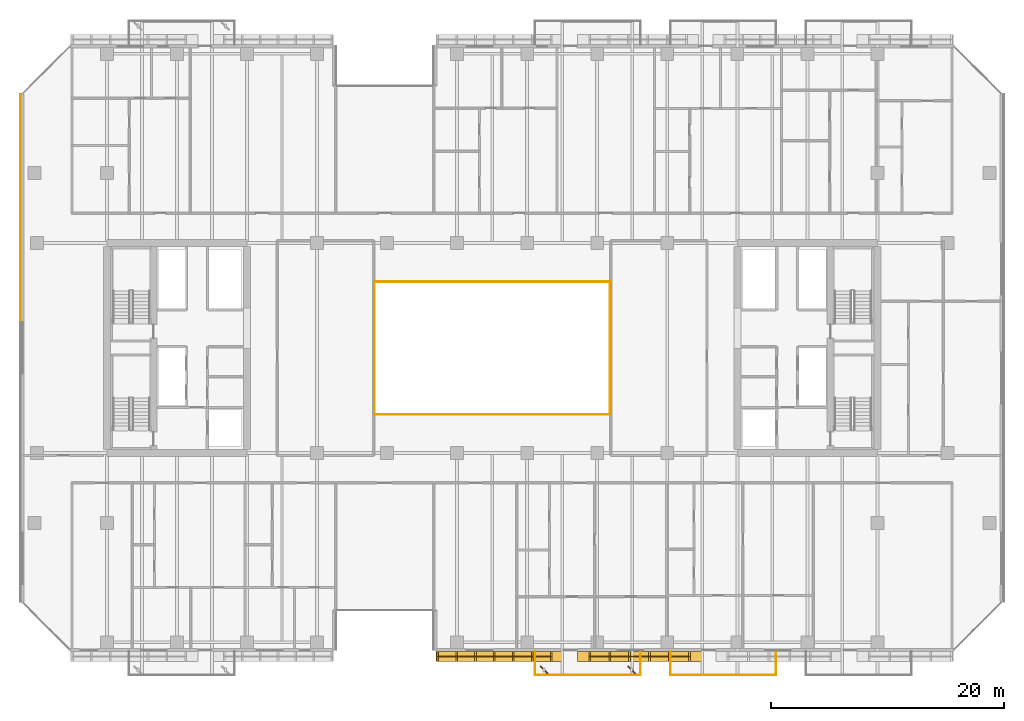
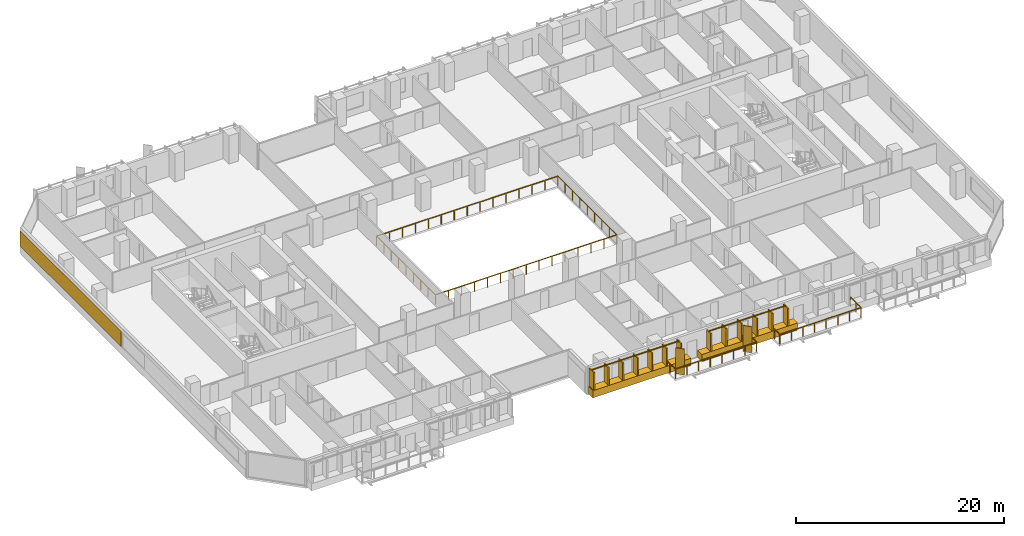
# One storey, part 29 of 34: 6 railings, 3 coverings, 2 shading devices.
"""IFC4 building model written with IfcOpenShell, lengths in metres."""

from ifc_helpers import new_model, si_unit, direction, frame, origin, origin_2d, place, context, subcontext, project, spatial, rectangle, extrude, material, layer, layer_set, type_object, element, save


model = new_model("IFC4")

# Units and contexts
model_context = context("Model", 3, precision=1e-05, world=origin(), true_north=direction((0.0, 1.0)))
body_context = subcontext(model_context, "Body", "Model", "MODEL_VIEW")
ifc_project = project(units=[si_unit("LENGTHUNIT", "METRE"), si_unit("AREAUNIT", "SQUARE_METRE"), si_unit("VOLUMEUNIT", "CUBIC_METRE"), si_unit("PLANEANGLEUNIT", "RADIAN"), si_unit("MASSUNIT", "GRAM", prefix="KILO")], contexts=[model_context])

# Site, building, storey
site_placement = place(None, origin())
site = spatial("IfcSite", under=ifc_project, at=site_placement, CompositionType="ELEMENT")
building_placement = place(site_placement, origin())
building = spatial("IfcBuilding", under=site, at=building_placement, Name="Tanjung Sevakor Pilgrim Tower", CompositionType="ELEMENT")
storey_placement = place(building_placement, frame((0.0, 0.0, 55.43994140625)))
storey = spatial("IfcBuildingStorey", under=building, at=storey_placement, Name="L15", CompositionType="ELEMENT", Elevation=55.43994140625)

# Coverings
ifc_material_1 = material(Name="Reconstructed Limestone Cladding", Category="masonry")
ifc_layer = layer(ifc_material_1, 0.044921875)
ifc_layer_set = layer_set([ifc_layer], Name="COV-CLAD-LIMESTONE")
covering_type = type_object("IfcCoveringType", Name="COV-CLAD-LIMESTONE", PredefinedType="CLADDING", material=ifc_layer_set)
covering_1_placement = place(storey_placement, frame((57.635009765625, 7.169921875, 0.01025390625), z_axis=(0.0, 0.0, 1.0), x_axis=(1.0, 0.0, 0.0)))
element("IfcCovering", 1, at=covering_1_placement, inside=storey, type_object=covering_type, Name="L15 Warm Limestone Sill Spandrel EW-L15-MAIN-5-1", PredefinedType="CLADDING", context=body_context, shape_type="SweptSolid", body=[
    extrude(rectangle(XDim=10.909912109375, YDim=0.860107421875, at=origin_2d()), origin(), (0.0, 0.0, 1.0), 0.840087890625),
])
covering_2_placement = place(storey_placement, frame((69.625, 7.169921875, 0.01025390625), z_axis=(0.0, 0.0, 1.0), x_axis=(1.0, 0.0, 0.0)))
element("IfcCovering", 2, at=covering_2_placement, inside=storey, type_object=covering_type, Name="L15 Warm Limestone Sill Spandrel EW-L15-MAIN-5-2", PredefinedType="CLADDING", context=body_context, shape_type="SweptSolid", body=[
    extrude(rectangle(XDim=10.6298828125, YDim=0.860107421875, at=origin_2d()), origin(), (0.0, 0.0, 1.0), 0.840087890625),
])
covering_3_placement = place(storey_placement, frame((16.577392578125, 45.575927734375, 0.85009765625), z_axis=(0.0, 0.0, 1.0), x_axis=(0.0, -1.0, 0.0)))
element("IfcCovering", 3, at=covering_3_placement, inside=storey, type_object=covering_type, Name="L15 Warm Limestone Pier Panel EW-L15-MAIN-15-1", PredefinedType="CLADDING", context=body_context, shape_type="SweptSolid", body=[
    extrude(rectangle(XDim=19.451904296875, YDim=0.044921875, at=origin_2d()), origin(), (0.0, 0.0, 1.0), 1.81005859375),
])

# Railings
ifc_material_2 = material(Name="Laminated Glass and Aluminium", Category="aluminium")
railing_type_1 = type_object("IfcRailingType", Name="RL-BAL-BALUST", PredefinedType="BALUSTRADE", material=ifc_material_2)
railing_1_placement = place(storey_placement, frame((46.919921875, 27.919921875, 0.0)))
element("IfcRailing", 4, at=railing_1_placement, inside=storey, type_object=railing_type_1, Name="L15 Void Opening Balustrade 1A", PredefinedType="BALUSTRADE", context=body_context, shape_type="SweptSolid", body=[
    extrude(rectangle(XDim=0.0479, YDim=0.0479), frame((0.0, 0.0, 1.1259765625), z_axis=(1.0, 0.0, 0.0), x_axis=(0.0, 1.0, 0.0)), (0.0, 0.0, 1.0), 20.16015625),
    extrude(rectangle(XDim=0.0479, YDim=0.0479), frame((20.16015625, 0.0, 1.1259765625), z_axis=(0.0, 1.0, 0.0), x_axis=(-1.0, 0.0, 0.0)), (0.0, 0.0, 1.0), 11.360107421875),
    extrude(rectangle(XDim=0.042, YDim=0.042), origin(), (0.0, 0.0, 1.0), 1.101806640625),
    extrude(rectangle(XDim=0.042, YDim=0.042), frame((1.43994140625, 0.0, 0.0)), (0.0, 0.0, 1.0), 1.101806640625),
    extrude(rectangle(XDim=0.042, YDim=0.042), frame((2.880126953125, 0.0, 0.0)), (0.0, 0.0, 1.0), 1.101806640625),
    extrude(rectangle(XDim=0.042, YDim=0.042), frame((4.320068359375, 0.0, 0.0)), (0.0, 0.0, 1.0), 1.101806640625),
    extrude(rectangle(XDim=0.042, YDim=0.042), frame((5.760009765625, 0.0, 0.0)), (0.0, 0.0, 1.0), 1.101806640625),
    extrude(rectangle(XDim=0.042, YDim=0.042), frame((7.199951171875, 0.0, 0.0)), (0.0, 0.0, 1.0), 1.101806640625),
    extrude(rectangle(XDim=0.042, YDim=0.042), frame((8.64013671875, 0.0, 0.0)), (0.0, 0.0, 1.0), 1.101806640625),
    extrude(rectangle(XDim=0.042, YDim=0.042), frame((10.080078125, 0.0, 0.0)), (0.0, 0.0, 1.0), 1.101806640625),
    extrude(rectangle(XDim=0.042, YDim=0.042), frame((11.52001953125, 0.0, 0.0)), (0.0, 0.0, 1.0), 1.101806640625),
    extrude(rectangle(XDim=0.042, YDim=0.042), frame((12.960205078125, 0.0, 0.0)), (0.0, 0.0, 1.0), 1.101806640625),
    extrude(rectangle(XDim=0.042, YDim=0.042), frame((14.400146484375, 0.0, 0.0)), (0.0, 0.0, 1.0), 1.101806640625),
    extrude(rectangle(XDim=0.042, YDim=0.042), frame((15.840087890625, 0.0, 0.0)), (0.0, 0.0, 1.0), 1.101806640625),
    extrude(rectangle(XDim=0.042, YDim=0.042), frame((17.280029296875, 0.0, 0.0)), (0.0, 0.0, 1.0), 1.101806640625),
    extrude(rectangle(XDim=0.042, YDim=0.042), frame((18.72021484375, 0.0, 0.0)), (0.0, 0.0, 1.0), 1.101806640625),
    extrude(rectangle(XDim=0.042, YDim=0.042), frame((20.16015625, 0.0, 0.0)), (0.0, 0.0, 1.0), 1.101806640625),
    extrude(rectangle(XDim=0.042, YDim=0.042), frame((20.16015625, 1.419921875, 0.0)), (0.0, 0.0, 1.0), 1.101806640625),
    extrude(rectangle(XDim=0.042, YDim=0.042), frame((20.16015625, 2.840087890625, 0.0)), (0.0, 0.0, 1.0), 1.101806640625),
    extrude(rectangle(XDim=0.042, YDim=0.042), frame((20.16015625, 4.260009765625, 0.0)), (0.0, 0.0, 1.0), 1.101806640625),
    extrude(rectangle(XDim=0.042, YDim=0.042), frame((20.16015625, 5.68017578125, 0.0)), (0.0, 0.0, 1.0), 1.101806640625),
    extrude(rectangle(XDim=0.042, YDim=0.042), frame((20.16015625, 7.10009765625, 0.0)), (0.0, 0.0, 1.0), 1.101806640625),
    extrude(rectangle(XDim=0.042, YDim=0.042), frame((20.16015625, 8.52001953125, 0.0)), (0.0, 0.0, 1.0), 1.101806640625),
    extrude(rectangle(XDim=0.042, YDim=0.042), frame((20.16015625, 9.940185546875, 0.0)), (0.0, 0.0, 1.0), 1.101806640625),
    extrude(rectangle(XDim=0.042, YDim=0.042), frame((20.16015625, 11.360107421875, 0.0)), (0.0, 0.0, 1.0), 1.101806640625),
])
railing_2_placement = place(storey_placement, frame((67.080078125, 39.280029296875, 0.0)))
element("IfcRailing", 5, at=railing_2_placement, inside=storey, type_object=railing_type_1, Name="L15 Void Opening Balustrade 1B", PredefinedType="BALUSTRADE", context=body_context, shape_type="SweptSolid", body=[
    extrude(rectangle(XDim=0.0479, YDim=0.0479), frame((0.0, 0.0, 1.1259765625), z_axis=(-1.0, 0.0, 0.0), x_axis=(0.0, -1.0, 0.0)), (0.0, 0.0, 1.0), 20.16015625),
    extrude(rectangle(XDim=0.0479, YDim=0.0479), frame((-20.16015625, 0.0, 1.1259765625), z_axis=(0.0, -1.0, 0.0), x_axis=(1.0, 0.0, 0.0)), (0.0, 0.0, 1.0), 11.360107421875),
    extrude(rectangle(XDim=0.042, YDim=0.042), origin(), (0.0, 0.0, 1.0), 1.101806640625),
    extrude(rectangle(XDim=0.042, YDim=0.042), frame((-1.43994140625, 0.0, 0.0)), (0.0, 0.0, 1.0), 1.101806640625),
    extrude(rectangle(XDim=0.042, YDim=0.042), frame((-2.880126953125, 0.0, 0.0)), (0.0, 0.0, 1.0), 1.101806640625),
    extrude(rectangle(XDim=0.042, YDim=0.042), frame((-4.320068359375, 0.0, 0.0)), (0.0, 0.0, 1.0), 1.101806640625),
    extrude(rectangle(XDim=0.042, YDim=0.042), frame((-5.760009765625, 0.0, 0.0)), (0.0, 0.0, 1.0), 1.101806640625),
    extrude(rectangle(XDim=0.042, YDim=0.042), frame((-7.199951171875, 0.0, 0.0)), (0.0, 0.0, 1.0), 1.101806640625),
    extrude(rectangle(XDim=0.042, YDim=0.042), frame((-8.64013671875, 0.0, 0.0)), (0.0, 0.0, 1.0), 1.101806640625),
    extrude(rectangle(XDim=0.042, YDim=0.042), frame((-10.080078125, 0.0, 0.0)), (0.0, 0.0, 1.0), 1.101806640625),
    extrude(rectangle(XDim=0.042, YDim=0.042), frame((-11.52001953125, 0.0, 0.0)), (0.0, 0.0, 1.0), 1.101806640625),
    extrude(rectangle(XDim=0.042, YDim=0.042), frame((-12.960205078125, 0.0, 0.0)), (0.0, 0.0, 1.0), 1.101806640625),
    extrude(rectangle(XDim=0.042, YDim=0.042), frame((-14.400146484375, 0.0, 0.0)), (0.0, 0.0, 1.0), 1.101806640625),
    extrude(rectangle(XDim=0.042, YDim=0.042), frame((-15.840087890625, 0.0, 0.0)), (0.0, 0.0, 1.0), 1.101806640625),
    extrude(rectangle(XDim=0.042, YDim=0.042), frame((-17.280029296875, 0.0, 0.0)), (0.0, 0.0, 1.0), 1.101806640625),
    extrude(rectangle(XDim=0.042, YDim=0.042), frame((-18.72021484375, 0.0, 0.0)), (0.0, 0.0, 1.0), 1.101806640625),
    extrude(rectangle(XDim=0.042, YDim=0.042), frame((-20.16015625, 0.0, 0.0)), (0.0, 0.0, 1.0), 1.101806640625),
    extrude(rectangle(XDim=0.042, YDim=0.042), frame((-20.16015625, -1.419921875, 0.0)), (0.0, 0.0, 1.0), 1.101806640625),
    extrude(rectangle(XDim=0.042, YDim=0.042), frame((-20.16015625, -2.840087890625, 0.0)), (0.0, 0.0, 1.0), 1.101806640625),
    extrude(rectangle(XDim=0.042, YDim=0.042), frame((-20.16015625, -4.260009765625, 0.0)), (0.0, 0.0, 1.0), 1.101806640625),
    extrude(rectangle(XDim=0.042, YDim=0.042), frame((-20.16015625, -5.68017578125, 0.0)), (0.0, 0.0, 1.0), 1.101806640625),
    extrude(rectangle(XDim=0.042, YDim=0.042), frame((-20.16015625, -7.10009765625, 0.0)), (0.0, 0.0, 1.0), 1.101806640625),
    extrude(rectangle(XDim=0.042, YDim=0.042), frame((-20.16015625, -8.52001953125, 0.0)), (0.0, 0.0, 1.0), 1.101806640625),
    extrude(rectangle(XDim=0.042, YDim=0.042), frame((-20.16015625, -9.940185546875, 0.0)), (0.0, 0.0, 1.0), 1.101806640625),
    extrude(rectangle(XDim=0.042, YDim=0.042), frame((-20.16015625, -11.360107421875, 0.0)), (0.0, 0.0, 1.0), 1.101806640625),
])
railing_3_placement = place(storey_placement, frame((60.679931640625, 7.60009765625, 0.0)))
element("IfcRailing", 6, at=railing_3_placement, inside=storey, type_object=railing_type_1, Name="L15 Loggia Balustrade MAIN-S2", PredefinedType="BALUSTRADE", context=body_context, shape_type="SweptSolid", body=[
    extrude(rectangle(XDim=0.0479, YDim=0.0479), frame((0.0, 0.0, 1.1259765625), z_axis=(0.0, -1.0, 0.0), x_axis=(1.0, 0.0, 0.0)), (0.0, 0.0, 1.0), 2.02001953125),
    extrude(rectangle(XDim=0.0479, YDim=0.0479), frame((0.0, -2.02001953125, 1.1259765625), z_axis=(1.0, 0.0, 0.0), x_axis=(0.0, 1.0, 0.0)), (0.0, 0.0, 1.0), 9.0400390625),
    extrude(rectangle(XDim=0.0479, YDim=0.0479), frame((9.0400390625, -2.02001953125, 1.1259765625), z_axis=(0.0, 1.0, 0.0), x_axis=(-1.0, 0.0, 0.0)), (0.0, 0.0, 1.0), 2.02001953125),
    extrude(rectangle(XDim=0.042, YDim=0.042), origin(), (0.0, 0.0, 1.0), 1.101806640625),
    extrude(rectangle(XDim=0.042, YDim=0.042), frame((0.0, -1.010009765625, 0.0)), (0.0, 0.0, 1.0), 1.101806640625),
    extrude(rectangle(XDim=0.042, YDim=0.042), frame((0.0, -2.02001953125, 0.0)), (0.0, 0.0, 1.0), 1.101806640625),
    extrude(rectangle(XDim=0.042, YDim=0.042), frame((1.29150390625, -2.02001953125, 0.0)), (0.0, 0.0, 1.0), 1.101806640625),
    extrude(rectangle(XDim=0.042, YDim=0.042), frame((2.582763671875, -2.02001953125, 0.0)), (0.0, 0.0, 1.0), 1.101806640625),
    extrude(rectangle(XDim=0.042, YDim=0.042), frame((3.874267578125, -2.02001953125, 0.0)), (0.0, 0.0, 1.0), 1.101806640625),
    extrude(rectangle(XDim=0.042, YDim=0.042), frame((5.165771484375, -2.02001953125, 0.0)), (0.0, 0.0, 1.0), 1.101806640625),
    extrude(rectangle(XDim=0.042, YDim=0.042), frame((6.457275390625, -2.02001953125, 0.0)), (0.0, 0.0, 1.0), 1.101806640625),
    extrude(rectangle(XDim=0.042, YDim=0.042), frame((7.74853515625, -2.02001953125, 0.0)), (0.0, 0.0, 1.0), 1.101806640625),
    extrude(rectangle(XDim=0.042, YDim=0.042), frame((9.0400390625, -2.02001953125, 0.0)), (0.0, 0.0, 1.0), 1.101806640625),
    extrude(rectangle(XDim=0.042, YDim=0.042), frame((9.0400390625, -1.010009765625, 0.0)), (0.0, 0.0, 1.0), 1.101806640625),
    extrude(rectangle(XDim=0.042, YDim=0.042), frame((9.0400390625, 0.0, 0.0)), (0.0, 0.0, 1.0), 1.101806640625),
])
railing_4_placement = place(storey_placement, frame((72.280029296875, 7.60009765625, 0.0)))
element("IfcRailing", 7, at=railing_4_placement, inside=storey, type_object=railing_type_1, Name="L15 Loggia Balustrade MAIN-S3", PredefinedType="BALUSTRADE", context=body_context, shape_type="SweptSolid", body=[
    extrude(rectangle(XDim=0.0479, YDim=0.0479), frame((0.0, 0.0, 1.1259765625), z_axis=(0.0, -1.0, 0.0), x_axis=(1.0, 0.0, 0.0)), (0.0, 0.0, 1.0), 2.02001953125),
    extrude(rectangle(XDim=0.0479, YDim=0.0479), frame((0.0, -2.02001953125, 1.1259765625), z_axis=(1.0, 0.0, 0.0), x_axis=(0.0, 1.0, 0.0)), (0.0, 0.0, 1.0), 9.0400390625),
    extrude(rectangle(XDim=0.0479, YDim=0.0479), frame((9.0400390625, -2.02001953125, 1.1259765625), z_axis=(0.0, 1.0, 0.0), x_axis=(-1.0, 0.0, 0.0)), (0.0, 0.0, 1.0), 2.02001953125),
    extrude(rectangle(XDim=0.042, YDim=0.042), origin(), (0.0, 0.0, 1.0), 1.101806640625),
    extrude(rectangle(XDim=0.042, YDim=0.042), frame((0.0, -1.010009765625, 0.0)), (0.0, 0.0, 1.0), 1.101806640625),
    extrude(rectangle(XDim=0.042, YDim=0.042), frame((0.0, -2.02001953125, 0.0)), (0.0, 0.0, 1.0), 1.101806640625),
    extrude(rectangle(XDim=0.042, YDim=0.042), frame((1.29150390625, -2.02001953125, 0.0)), (0.0, 0.0, 1.0), 1.101806640625),
    extrude(rectangle(XDim=0.042, YDim=0.042), frame((2.582763671875, -2.02001953125, 0.0)), (0.0, 0.0, 1.0), 1.101806640625),
    extrude(rectangle(XDim=0.042, YDim=0.042), frame((3.874267578125, -2.02001953125, 0.0)), (0.0, 0.0, 1.0), 1.101806640625),
    extrude(rectangle(XDim=0.042, YDim=0.042), frame((5.165771484375, -2.02001953125, 0.0)), (0.0, 0.0, 1.0), 1.101806640625),
    extrude(rectangle(XDim=0.042, YDim=0.042), frame((6.457275390625, -2.02001953125, 0.0)), (0.0, 0.0, 1.0), 1.101806640625),
    extrude(rectangle(XDim=0.042, YDim=0.042), frame((7.74853515625, -2.02001953125, 0.0)), (0.0, 0.0, 1.0), 1.101806640625),
    extrude(rectangle(XDim=0.042, YDim=0.042), frame((9.0400390625, -2.02001953125, 0.0)), (0.0, 0.0, 1.0), 1.101806640625),
    extrude(rectangle(XDim=0.042, YDim=0.042), frame((9.0400390625, -1.010009765625, 0.0)), (0.0, 0.0, 1.0), 1.101806640625),
    extrude(rectangle(XDim=0.042, YDim=0.042), frame((9.0400390625, 0.0, 0.0)), (0.0, 0.0, 1.0), 1.101806640625),
])
ifc_material_3 = material(Name="Anodised Bronze Aluminium 6063-T6", Category="aluminium")
railing_type_2 = type_object("IfcRailingType", Name="RL-FIN-SCREEN", PredefinedType="BALUSTRADE", material=ifc_material_3)
railing_5_placement = place(storey_placement, frame((52.340087890625, 7.175048828125, 0.840087890625)))
element("IfcRailing", 8, at=railing_5_placement, inside=storey, type_object=railing_type_2, Name="L15 Vertical Bronze-Gold Solar Fin Screen FNSCR-EW-L15-MAIN-5-1", PredefinedType="BALUSTRADE", context=body_context, shape_type="SweptSolid", body=[
    extrude(rectangle(XDim=0.105, YDim=0.105), frame((0.0, 0.0, 2.157470703125), z_axis=(1.0, 0.0, 0.0), x_axis=(0.0, 1.0, 0.0)), (0.0, 0.0, 1.0), 9.7099609375),
    extrude(rectangle(XDim=0.14, YDim=0.85), origin(), (0.0, 0.0, 1.0), 2.10498046875),
    extrude(rectangle(XDim=0.14, YDim=0.85), frame((1.618408203125, 0.0, 0.0)), (0.0, 0.0, 1.0), 2.10498046875),
    extrude(rectangle(XDim=0.14, YDim=0.85), frame((3.236572265625, 0.0, 0.0)), (0.0, 0.0, 1.0), 2.10498046875),
    extrude(rectangle(XDim=0.14, YDim=0.85), frame((4.85498046875, 0.0, 0.0)), (0.0, 0.0, 1.0), 2.10498046875),
    extrude(rectangle(XDim=0.14, YDim=0.85), frame((6.473388671875, 0.0, 0.0)), (0.0, 0.0, 1.0), 2.10498046875),
    extrude(rectangle(XDim=0.14, YDim=0.85), frame((8.091552734375, 0.0, 0.0)), (0.0, 0.0, 1.0), 2.10498046875),
    extrude(rectangle(XDim=0.14, YDim=0.85), frame((9.7099609375, 0.0, 0.0)), (0.0, 0.0, 1.0), 2.10498046875),
])
railing_6_placement = place(storey_placement, frame((65.35009765625, 7.175048828125, 0.840087890625)))
element("IfcRailing", 9, at=railing_6_placement, inside=storey, type_object=railing_type_2, Name="L15 Vertical Bronze-Gold Solar Fin Screen FNSCR-EW-L15-MAIN-5-2", PredefinedType="BALUSTRADE", context=body_context, shape_type="SweptSolid", body=[
    extrude(rectangle(XDim=0.105, YDim=0.105), frame((0.0, 0.0, 2.157470703125), z_axis=(1.0, 0.0, 0.0), x_axis=(0.0, 1.0, 0.0)), (0.0, 0.0, 1.0), 8.5498046875),
    extrude(rectangle(XDim=0.14, YDim=0.85), origin(), (0.0, 0.0, 1.0), 2.10498046875),
    extrude(rectangle(XDim=0.14, YDim=0.85), frame((1.7099609375, 0.0, 0.0)), (0.0, 0.0, 1.0), 2.10498046875),
    extrude(rectangle(XDim=0.14, YDim=0.85), frame((3.419921875, 0.0, 0.0)), (0.0, 0.0, 1.0), 2.10498046875),
    extrude(rectangle(XDim=0.14, YDim=0.85), frame((5.1298828125, 0.0, 0.0)), (0.0, 0.0, 1.0), 2.10498046875),
    extrude(rectangle(XDim=0.14, YDim=0.85), frame((6.83984375, 0.0, 0.0)), (0.0, 0.0, 1.0), 2.10498046875),
    extrude(rectangle(XDim=0.14, YDim=0.85), frame((8.5498046875, 0.0, 0.0)), (0.0, 0.0, 1.0), 2.10498046875),
])

# Shading devices
ifc_material_4 = material(Name="Anodised Bronze Aluminium 6063-T6", Category="aluminium")
shading_device_type = type_object("IfcShadingDeviceType", Name="SHD-FIN-900A", PredefinedType="USERDEFINED", material=ifc_material_4)
for number, where, z_axis, x_axis, name in (
    (10, (61.449951171875, 6.02001953125, 0.0), (0.0, 0.0, 1.0), (0.707106781187, 0.707106781187, 0.0), "L15 Anodised Bronze Solar Fin 0021"),
    (11, (68.949951171875, 6.02001953125, 0.0), (0.0, 0.0, 1.0), (0.707106781187, 0.707106781187, 0.0), "L15 Anodised Bronze Solar Fin 0022"),
):
    element("IfcShadingDevice", number, at=place(storey_placement, frame(where, z_axis=z_axis, x_axis=x_axis)), inside=storey, type_object=shading_device_type, Name=name, ObjectType="FIN", PredefinedType="USERDEFINED", context=body_context, shape_type="SweptSolid", body=[
        extrude(rectangle(XDim=0.080078125, YDim=0.89990234375, at=origin_2d()), origin(), (0.0, 0.0, 1.0), 3.0400390625),
    ])

save(model, "model.ifc")
